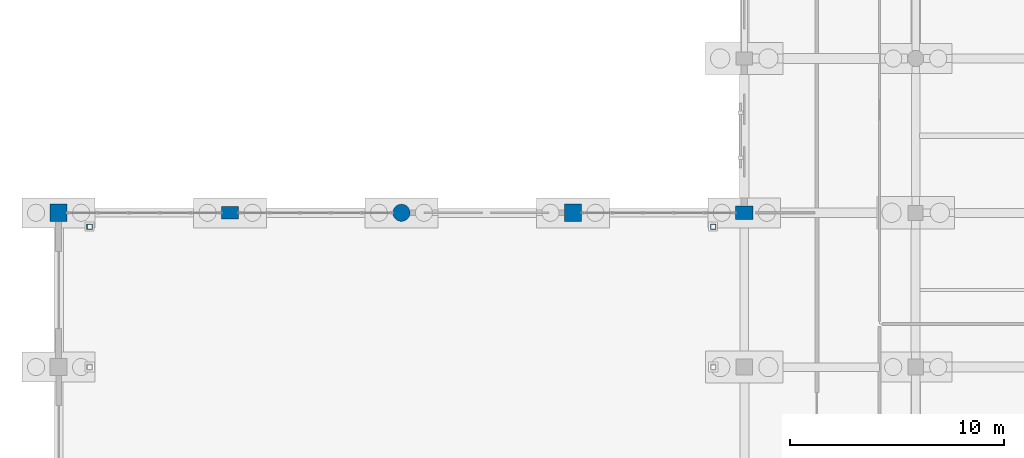
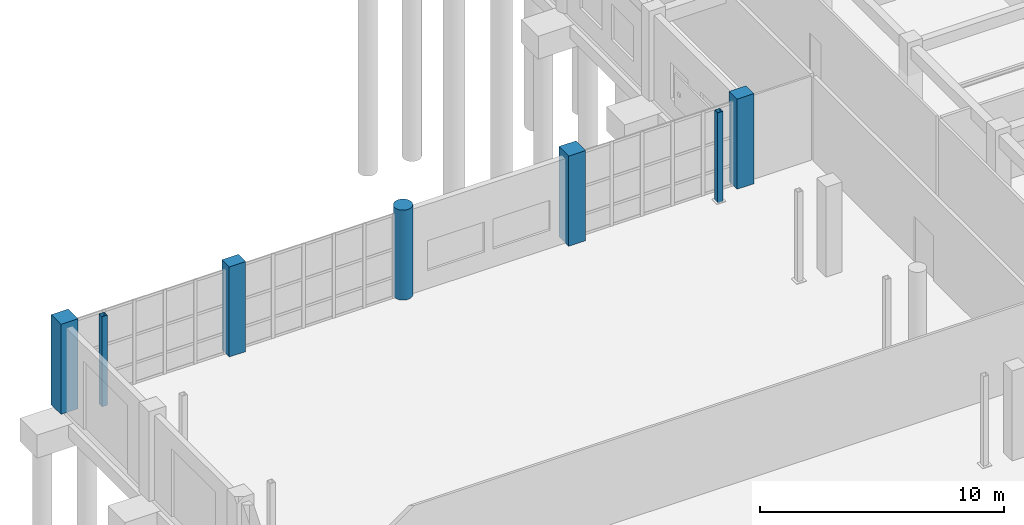
# One storey, part 31 of 166: 7 columns.
"""IFC4 building model written with IfcOpenShell, lengths in metres."""

import ifcopenshell
import ifcopenshell.guid

model = None  # the IFC model being written
_history = None  # IfcOwnerHistory: only IFC2X3 demands one
_inside = {}  # id of a spatial element -> (the spatial element, [elements in it])
_under = {}  # id of a project, library or spatial element -> (it, [spatial elements below it])
_declared = {}  # id of a project -> (the project, [libraries it declares])
_typed = {}  # id of a type object -> (the type object, [elements of that type])
_made_of = {}  # id of a material, layer set ... -> (it, [elements and type objects made of it])


def new_model(schema):
    """Start an empty IFC model of exactly this schema.

    Asked for "IFC4X3", IfcOpenShell would pick the latest addendum, in which some entities
    have other attributes; the version numbers below select the first issue.
    IFC2X3 requires an IfcOwnerHistory on every rooted entity: one is made here for all.
    """
    global model, _history
    if schema == "IFC4X3":
        model = ifcopenshell.file(schema_version=(4, 3, 0, 0))
    else:
        model = ifcopenshell.file(schema=schema)
    _inside.clear()
    _under.clear()
    _declared.clear()
    _typed.clear()
    _made_of.clear()
    _history = None
    if model.schema == "IFC2X3":
        org = make("IfcOrganization", Name="unknown")
        user = make(
            "IfcPersonAndOrganization",
            ThePerson=make("IfcPerson", FamilyName="unknown"),
            TheOrganization=org,
        )
        app = make(
            "IfcApplication",
            ApplicationDeveloper=org,
            Version="unknown",
            ApplicationFullName="unknown",
            ApplicationIdentifier="unknown",
        )
        _history = make(
            "IfcOwnerHistory",
            OwningUser=user,
            OwningApplication=app,
            ChangeAction="ADDED",
            CreationDate=0,
        )
    return model


def make(cls, **values):
    """One entity of the class cls with the attributes given. An attribute that is None is left unset."""
    return model.create_entity(
        cls, **{name: value for name, value in values.items() if value is not None}
    )


def rooted(cls, **values):
    """An entity with a GlobalId (a new one), such as an element, a storey or a relation."""
    return make(cls, GlobalId=ifcopenshell.guid.new(), OwnerHistory=_history, **values)


def si_unit(unit_type, name, prefix=None):
    """IfcSIUnit, for example si_unit("LENGTHUNIT", "METRE", prefix="MILLI")."""
    return make("IfcSIUnit", UnitType=unit_type, Prefix=prefix, Name=name)


def assignment(units):
    """IfcUnitAssignment: the units of a project."""
    return None if units is None else make("IfcUnitAssignment", Units=units)


def point(xyz):
    """IfcCartesianPoint."""
    return None if xyz is None else make("IfcCartesianPoint", Coordinates=xyz)


def direction(xyz):
    """IfcDirection."""
    return None if xyz is None else make("IfcDirection", DirectionRatios=xyz)


def frame(location, z_axis=None, x_axis=None):
    """IfcAxis2Placement3D, a coordinate frame: its origin and axes. An axis left out is left unset."""
    return make(
        "IfcAxis2Placement3D",
        Location=point(location),
        Axis=direction(z_axis),
        RefDirection=direction(x_axis),
    )


def frame_2d(location, x_axis=None):
    """IfcAxis2Placement2D, a coordinate frame in the plane: its origin and x axis."""
    return make(
        "IfcAxis2Placement2D", Location=point(location), RefDirection=direction(x_axis)
    )


def origin():
    """The frame at (0, 0, 0) with its axes left unset."""
    return frame((0.0, 0.0, 0.0))


def origin_2d():
    """The frame at (0, 0) in the plane with its x axis left unset."""
    return frame_2d((0.0, 0.0))


def place(relative_to, where):
    """IfcLocalPlacement: puts the frame where relative to a parent placement (None: the world)."""
    return make(
        "IfcLocalPlacement", PlacementRelTo=relative_to, RelativePlacement=where
    )


def context(
    kind, dimensions, precision=None, world=None, true_north=None, identifier=None
):
    """IfcGeometricRepresentationContext, for example the 3D "Model" context."""
    return make(
        "IfcGeometricRepresentationContext",
        ContextIdentifier=identifier,
        ContextType=kind,
        CoordinateSpaceDimension=dimensions,
        Precision=precision,
        WorldCoordinateSystem=world,
        TrueNorth=true_north,
    )


def subcontext(parent, identifier, kind, view, scale=None):
    """IfcGeometricRepresentationSubContext, for example "Body" below "Model"."""
    return make(
        "IfcGeometricRepresentationSubContext",
        ContextIdentifier=identifier,
        ContextType=kind,
        ParentContext=parent,
        TargetScale=scale,
        TargetView=view,
    )


def project(units=None, contexts=None):
    """IfcProject with its units and contexts."""
    return rooted(
        "IfcProject",
        Name="project",
        RepresentationContexts=contexts,
        UnitsInContext=assignment(units),
    )


def spatial(cls, under=None, at=None, **own):
    """A site, building, storey or space (cls), placed at a placement, below another one or the project."""
    s = rooted(cls, ObjectPlacement=at, **own)
    if under is not None:
        _under.setdefault(under.id(), (under, []))[1].append(s)
    return s


def profile(cls, at=None, kind="AREA", **sizes):
    """A parametric profile (cls). Its sizes go by their IFC names, for example OverallWidth=200.0."""
    return make(cls, ProfileType=kind, Position=at, **sizes)


def rectangle(**sizes):
    """IfcRectangleProfileDef."""
    return profile("IfcRectangleProfileDef", **sizes)


def hollow_rectangle(**sizes):
    """IfcRectangleHollowProfileDef."""
    return profile("IfcRectangleHollowProfileDef", **sizes)


def circle(**sizes):
    """IfcCircleProfileDef."""
    return profile("IfcCircleProfileDef", **sizes)


def extrude(swept, where, along, depth):
    """IfcExtrudedAreaSolid: the profile swept, set in the frame where, extruded along a direction by depth."""
    return make(
        "IfcExtrudedAreaSolid",
        SweptArea=swept,
        Position=where,
        ExtrudedDirection=direction(along),
        Depth=depth,
    )


def shape(context_of_items, identifier, shape_type, items):
    """IfcShapeRepresentation: the items that make up one representation, for example the "Body"."""
    return make(
        "IfcShapeRepresentation",
        ContextOfItems=context_of_items,
        RepresentationIdentifier=identifier,
        RepresentationType=shape_type,
        Items=items,
    )


def material(Name=None, Category=None):
    """IfcMaterial."""
    return make("IfcMaterial", Name=Name, Category=Category)


def material_profile(
    of_material, cross_section, Name=None, Category=None, Priority=None
):
    """IfcMaterialProfile: a cross section and its material."""
    return make(
        "IfcMaterialProfile",
        Name=Name,
        Material=of_material,
        Profile=cross_section,
        Priority=Priority,
        Category=Category,
    )


def profile_set(profiles, Name=None, composite=None):
    """IfcMaterialProfileSet."""
    return make(
        "IfcMaterialProfileSet",
        Name=Name,
        MaterialProfiles=profiles,
        CompositeProfile=composite,
    )


def made_of(thing, what):
    """Note that an element or type object is made of a material, layer set ...; save() writes the relation."""
    if what is not None:
        _made_of.setdefault(what.id(), (what, []))[1].append(thing)
    return thing


def type_object(cls, material=None, **own):
    """A type object (cls), such as IfcWallType, which elements share."""
    return made_of(rooted(cls, **own), material)


def element(
    cls,
    number,
    at=None,
    inside=None,
    cuts=None,
    type_object=None,
    material=None,
    context=None,
    identifier="Body",
    shape_type=None,
    held_by="IfcProductDefinitionShape",
    body=None,
    shapes=None,
    **own,
):
    """One element of the class cls, such as IfcWall. Its Tag is "e" and its number.

    at: its placement. inside: the storey or other place that contains it. cuts: it is an
    opening in that element (IfcRelVoidsElement). A single representation is given by context,
    identifier, shape_type and body (its items); several are given by shapes. held_by: the class
    of the entity that holds the representations. save() writes the other relations.
    """
    e = rooted(cls, Tag="e%d" % number, ObjectPlacement=at, **own)
    if body is not None:
        shapes = [shape(context, identifier, shape_type, body)]
    if shapes is not None:
        e.Representation = make(held_by, Representations=shapes)
    if inside is not None:
        _inside.setdefault(inside.id(), (inside, []))[1].append(e)
    if cuts is not None:
        rooted(
            "IfcRelVoidsElement", RelatingBuildingElement=cuts, RelatedOpeningElement=e
        )
    if type_object is not None:
        _typed.setdefault(type_object.id(), (type_object, []))[1].append(e)
    return made_of(e, material)


def aggregate(whole, parts):
    """IfcRelAggregates: a whole, such as a stair, and the parts it consists of."""
    return rooted("IfcRelAggregates", RelatingObject=whole, RelatedObjects=parts)


def save(model, path):
    """Write the relations noted so far, then the file.

    IfcRelAggregates (storeys below a building ...), IfcRelContainedInSpatialStructure (elements
    in a storey), IfcRelDefinesByType, IfcRelAssociatesMaterial and IfcRelDeclares: one each for
    every whole, place, type object, material and project.
    """
    for whole, parts in _under.values():
        aggregate(whole, parts)
    for where, things in _inside.values():
        rooted(
            "IfcRelContainedInSpatialStructure",
            RelatedElements=things,
            RelatingStructure=where,
        )
    for kind, things in _typed.values():
        rooted("IfcRelDefinesByType", RelatedObjects=things, RelatingType=kind)
    for what, things in _made_of.values():
        rooted("IfcRelAssociatesMaterial", RelatedObjects=things, RelatingMaterial=what)
    for by, libraries in _declared.values():
        rooted("IfcRelDeclares", RelatingContext=by, RelatedDefinitions=libraries)
    model.write(path)


model = new_model("IFC4")

# Units and contexts
model_context = context("Model", 3, precision=1e-05, world=origin(), true_north=direction((0.0, 1.0)))
body_context = subcontext(model_context, "Body", "Model", "MODEL_VIEW")
ifc_project = project(units=[si_unit("LENGTHUNIT", "METRE"), si_unit("AREAUNIT", "SQUARE_METRE"), si_unit("VOLUMEUNIT", "CUBIC_METRE"), si_unit("PLANEANGLEUNIT", "RADIAN"), si_unit("MASSUNIT", "GRAM", prefix="KILO")], contexts=[model_context])

# Site, building, storey
site_placement = place(None, origin())
site = spatial("IfcSite", under=ifc_project, at=site_placement, CompositionType="ELEMENT")
building_placement = place(site_placement, origin())
building = spatial("IfcBuilding", under=site, at=building_placement, Name="Kharva Crest Polytechnic", CompositionType="ELEMENT")
storey_placement = place(building_placement, origin())
storey = spatial("IfcBuildingStorey", under=building, at=storey_placement, Name="L00", CompositionType="ELEMENT", Elevation=0.0)

# Columns
ifc_material_1 = material(Name="Concrete C40/50", Category="concrete")
ifc_material_profile_1 = material_profile(ifc_material_1, rectangle(XDim=0.780029296875, YDim=0.60009765625, at=origin_2d()), Name="RECT 780 X 600")
ifc_profile_set_1 = profile_set([ifc_material_profile_1], Name="Concrete C40/50")
column_type_1 = type_object("IfcColumnType", Name="COL-EXT-780X600", PredefinedType="COLUMN", material=ifc_profile_set_1)
column_1_placement = place(storey_placement, frame((8.0, 93.199951171875, 0.0), z_axis=(0.0, 0.0, 1.0), x_axis=(1.0, 0.0, 0.0)))
element("IfcColumn", 1, at=column_1_placement, inside=storey, type_object=column_type_1, Name="L00 Column 2/N", PredefinedType="COLUMN", context=body_context, shape_type="SweptSolid", body=[
    extrude(rectangle(XDim=0.780029296875, YDim=0.60009765625, at=origin_2d()), origin(), (0.0, 0.0, 1.0), 4.5),
])
ifc_material_profile_2 = material_profile(ifc_material_1, rectangle(XDim=0.800048828125, YDim=0.64990234375, at=origin_2d()), Name="RECT 800 X 650")
ifc_profile_set_2 = profile_set([ifc_material_profile_2], Name="Concrete C40/50")
column_type_2 = type_object("IfcColumnType", Name="COL-EXT-800X650", PredefinedType="COLUMN", material=ifc_profile_set_2)
column_2_placement = place(storey_placement, frame((32.0, 93.199951171875, 0.0), z_axis=(0.0, 0.0, 1.0), x_axis=(1.0, 0.0, 0.0)))
element("IfcColumn", 2, at=column_2_placement, inside=storey, type_object=column_type_2, Name="L00 Column 5/N", PredefinedType="COLUMN", context=body_context, shape_type="SweptSolid", body=[
    extrude(rectangle(XDim=0.800048828125, YDim=0.64990234375, at=origin_2d()), origin(), (0.0, 0.0, 1.0), 4.5),
])
ifc_material_profile_3 = material_profile(ifc_material_1, rectangle(XDim=0.800048828125, YDim=0.800048828125, at=origin_2d()), Name="RECT 800 X 800")
ifc_profile_set_3 = profile_set([ifc_material_profile_3], Name="Concrete C40/50")
column_type_3 = type_object("IfcColumnType", Name="COL-EXT-800X800", PredefinedType="COLUMN", material=ifc_profile_set_3)
for number, where, z_axis, x_axis, name in (
    (3, (0.0, 93.199951171875, 0.0), (0.0, 0.0, 1.0), (1.0, 0.0, 0.0), "L00 Column 1/N"),
    (4, (24.0, 93.199951171875, 0.0), (0.0, 0.0, 1.0), (1.0, 0.0, 0.0), "L00 Column 4/N"),
):
    element("IfcColumn", number, at=place(storey_placement, frame(where, z_axis=z_axis, x_axis=x_axis)), inside=storey, type_object=column_type_3, Name=name, PredefinedType="COLUMN", context=body_context, shape_type="SweptSolid", body=[
        extrude(rectangle(XDim=0.800048828125, YDim=0.800048828125, at=origin_2d()), origin(), (0.0, 0.0, 1.0), 4.5),
    ])
ifc_material_profile_4 = material_profile(ifc_material_1, circle(Radius=0.39990234375, at=origin_2d()), Name="DIA 800")
ifc_profile_set_4 = profile_set([ifc_material_profile_4], Name="Concrete C40/50")
column_type_4 = type_object("IfcColumnType", Name="COL-EXT-DIA800", PredefinedType="COLUMN", material=ifc_profile_set_4)
column_3_placement = place(storey_placement, frame((16.0, 93.199951171875, 0.0), z_axis=(0.0, 0.0, 1.0), x_axis=(1.0, 0.0, 0.0)))
element("IfcColumn", 5, at=column_3_placement, inside=storey, type_object=column_type_4, Name="L00 Column 3/N", PredefinedType="COLUMN", context=body_context, shape_type="SweptSolid", body=[
    extrude(circle(Radius=0.39990234375, at=origin_2d()), origin(), (0.0, 0.0, 1.0), 4.5),
])
ifc_material_2 = material(Name="Steel S355", Category="steel")
ifc_material_profile_5 = material_profile(ifc_material_2, hollow_rectangle(XDim=0.25, YDim=0.25, WallThickness=0.010009765625, at=origin_2d()), Name="RHS 250X250X10.0")
ifc_profile_set_5 = profile_set([ifc_material_profile_5], Name="Steel S355")
column_type_5 = type_object("IfcColumnType", Name="COL-STL-RHS250", PredefinedType="COLUMN", material=ifc_profile_set_5)
for number, where, z_axis, x_axis, name in (
    (6, (1.449951171875, 92.550048828125, 0.0), (0.0, 0.0, 1.0), (1.0, 0.0, 0.0), "L00 Crane Column W8"),
    (7, (30.550048828125, 92.550048828125, 0.0), (0.0, 0.0, 1.0), (1.0, 0.0, 0.0), "L00 Crane Column E8"),
):
    element("IfcColumn", number, at=place(storey_placement, frame(where, z_axis=z_axis, x_axis=x_axis)), inside=storey, type_object=column_type_5, Name=name, PredefinedType="COLUMN", context=body_context, shape_type="SweptSolid", body=[
        extrude(hollow_rectangle(XDim=0.25, YDim=0.25, WallThickness=0.010009765625, at=origin_2d()), origin(), (0.0, 0.0, 1.0), 4.5),
    ])

save(model, "model.ifc")
